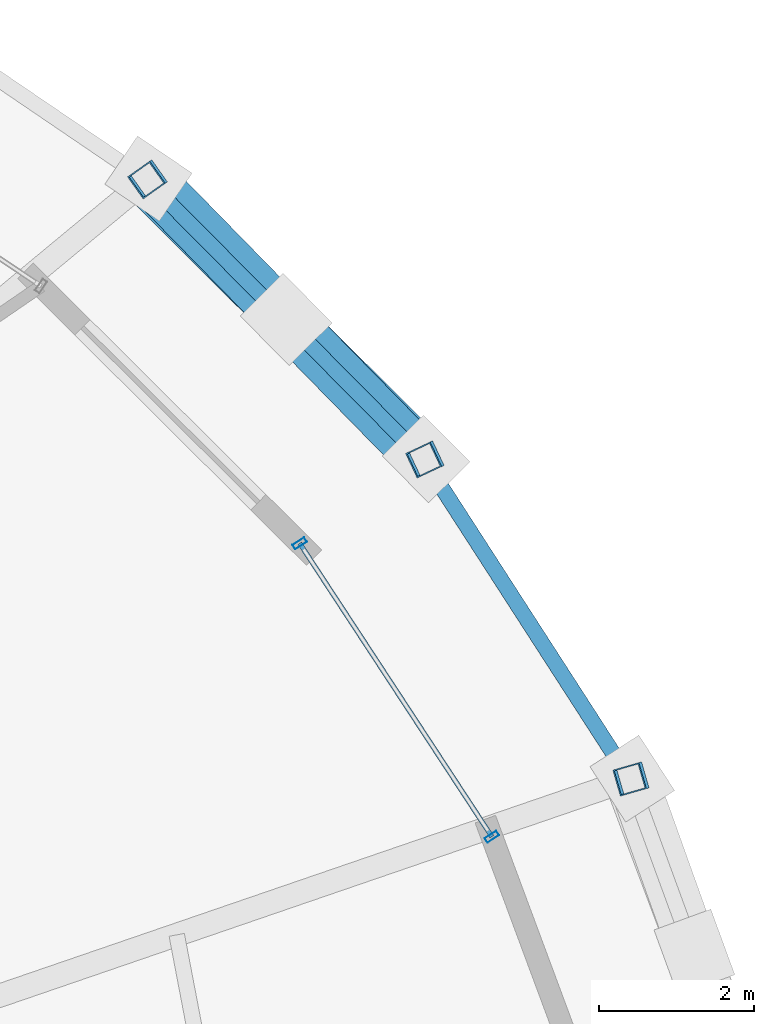
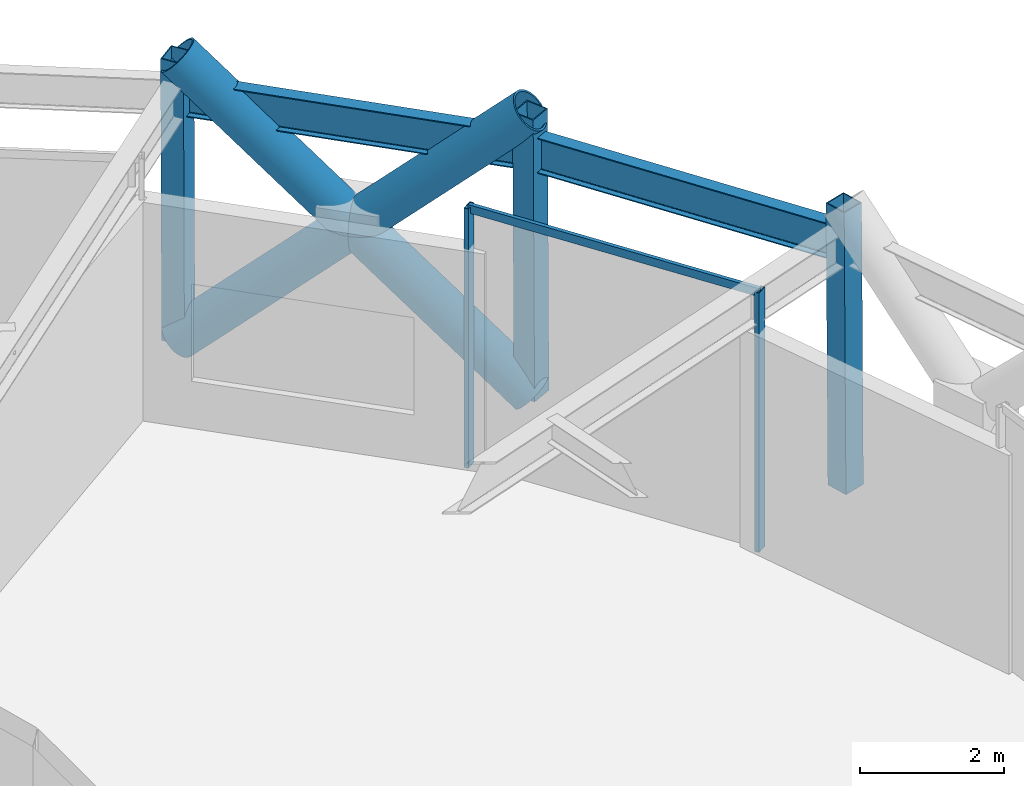
# One storey, part 30 of 39: 9 members, 2 beams, 1 element without a shape of its own.
"""IFC4 building model written with IfcOpenShell, lengths in metres."""

import ifcopenshell
import ifcopenshell.guid

model = None  # the IFC model being written
_history = None  # IfcOwnerHistory: only IFC2X3 demands one
_inside = {}  # id of a spatial element -> (the spatial element, [elements in it])
_under = {}  # id of a project, library or spatial element -> (it, [spatial elements below it])
_declared = {}  # id of a project -> (the project, [libraries it declares])
_typed = {}  # id of a type object -> (the type object, [elements of that type])
_made_of = {}  # id of a material, layer set ... -> (it, [elements and type objects made of it])


def new_model(schema):
    """Start an empty IFC model of exactly this schema.

    Asked for "IFC4X3", IfcOpenShell would pick the latest addendum, in which some entities
    have other attributes; the version numbers below select the first issue.
    IFC2X3 requires an IfcOwnerHistory on every rooted entity: one is made here for all.
    """
    global model, _history
    if schema == "IFC4X3":
        model = ifcopenshell.file(schema_version=(4, 3, 0, 0))
    else:
        model = ifcopenshell.file(schema=schema)
    _inside.clear()
    _under.clear()
    _declared.clear()
    _typed.clear()
    _made_of.clear()
    _history = None
    if model.schema == "IFC2X3":
        org = make("IfcOrganization", Name="unknown")
        user = make(
            "IfcPersonAndOrganization",
            ThePerson=make("IfcPerson", FamilyName="unknown"),
            TheOrganization=org,
        )
        app = make(
            "IfcApplication",
            ApplicationDeveloper=org,
            Version="unknown",
            ApplicationFullName="unknown",
            ApplicationIdentifier="unknown",
        )
        _history = make(
            "IfcOwnerHistory",
            OwningUser=user,
            OwningApplication=app,
            ChangeAction="ADDED",
            CreationDate=0,
        )
    return model


def make(cls, **values):
    """One entity of the class cls with the attributes given. An attribute that is None is left unset."""
    return model.create_entity(
        cls, **{name: value for name, value in values.items() if value is not None}
    )


def rooted(cls, **values):
    """An entity with a GlobalId (a new one), such as an element, a storey or a relation."""
    return make(cls, GlobalId=ifcopenshell.guid.new(), OwnerHistory=_history, **values)


def si_unit(unit_type, name, prefix=None):
    """IfcSIUnit, for example si_unit("LENGTHUNIT", "METRE", prefix="MILLI")."""
    return make("IfcSIUnit", UnitType=unit_type, Prefix=prefix, Name=name)


def assignment(units):
    """IfcUnitAssignment: the units of a project."""
    return None if units is None else make("IfcUnitAssignment", Units=units)


def point(xyz):
    """IfcCartesianPoint."""
    return None if xyz is None else make("IfcCartesianPoint", Coordinates=xyz)


def direction(xyz):
    """IfcDirection."""
    return None if xyz is None else make("IfcDirection", DirectionRatios=xyz)


def frame(location, z_axis=None, x_axis=None):
    """IfcAxis2Placement3D, a coordinate frame: its origin and axes. An axis left out is left unset."""
    return make(
        "IfcAxis2Placement3D",
        Location=point(location),
        Axis=direction(z_axis),
        RefDirection=direction(x_axis),
    )


def frame_2d(location, x_axis=None):
    """IfcAxis2Placement2D, a coordinate frame in the plane: its origin and x axis."""
    return make(
        "IfcAxis2Placement2D", Location=point(location), RefDirection=direction(x_axis)
    )


def origin():
    """The frame at (0, 0, 0) with its axes left unset."""
    return frame((0.0, 0.0, 0.0))


def origin_2d():
    """The frame at (0, 0) in the plane with its x axis left unset."""
    return frame_2d((0.0, 0.0))


def place(relative_to, where):
    """IfcLocalPlacement: puts the frame where relative to a parent placement (None: the world)."""
    return make(
        "IfcLocalPlacement", PlacementRelTo=relative_to, RelativePlacement=where
    )


def context(
    kind, dimensions, precision=None, world=None, true_north=None, identifier=None
):
    """IfcGeometricRepresentationContext, for example the 3D "Model" context."""
    return make(
        "IfcGeometricRepresentationContext",
        ContextIdentifier=identifier,
        ContextType=kind,
        CoordinateSpaceDimension=dimensions,
        Precision=precision,
        WorldCoordinateSystem=world,
        TrueNorth=true_north,
    )


def subcontext(parent, identifier, kind, view, scale=None):
    """IfcGeometricRepresentationSubContext, for example "Body" below "Model"."""
    return make(
        "IfcGeometricRepresentationSubContext",
        ContextIdentifier=identifier,
        ContextType=kind,
        ParentContext=parent,
        TargetScale=scale,
        TargetView=view,
    )


def project(units=None, contexts=None):
    """IfcProject with its units and contexts."""
    return rooted(
        "IfcProject",
        Name="project",
        RepresentationContexts=contexts,
        UnitsInContext=assignment(units),
    )


def spatial(cls, under=None, at=None, **own):
    """A site, building, storey or space (cls), placed at a placement, below another one or the project."""
    s = rooted(cls, ObjectPlacement=at, **own)
    if under is not None:
        _under.setdefault(under.id(), (under, []))[1].append(s)
    return s


def profile(cls, at=None, kind="AREA", **sizes):
    """A parametric profile (cls). Its sizes go by their IFC names, for example OverallWidth=200.0."""
    return make(cls, ProfileType=kind, Position=at, **sizes)


def hollow_rectangle(**sizes):
    """IfcRectangleHollowProfileDef."""
    return profile("IfcRectangleHollowProfileDef", **sizes)


def hollow_circle(**sizes):
    """IfcCircleHollowProfileDef."""
    return profile("IfcCircleHollowProfileDef", **sizes)


def i_section(**sizes):
    """IfcIShapeProfileDef."""
    return profile("IfcIShapeProfileDef", **sizes)


def extrude(swept, where, along, depth):
    """IfcExtrudedAreaSolid: the profile swept, set in the frame where, extruded along a direction by depth."""
    return make(
        "IfcExtrudedAreaSolid",
        SweptArea=swept,
        Position=where,
        ExtrudedDirection=direction(along),
        Depth=depth,
    )


def shape(context_of_items, identifier, shape_type, items):
    """IfcShapeRepresentation: the items that make up one representation, for example the "Body"."""
    return make(
        "IfcShapeRepresentation",
        ContextOfItems=context_of_items,
        RepresentationIdentifier=identifier,
        RepresentationType=shape_type,
        Items=items,
    )


def material(Name=None, Category=None):
    """IfcMaterial."""
    return make("IfcMaterial", Name=Name, Category=Category)


def layer(
    of_material, thickness, ventilated=None, Name=None, Category=None, Priority=None
):
    """IfcMaterialLayer: one layer of a wall or slab, of a material (None: an air gap)."""
    return make(
        "IfcMaterialLayer",
        Material=of_material,
        LayerThickness=thickness,
        IsVentilated=ventilated,
        Name=Name,
        Category=Category,
        Priority=Priority,
    )


def layer_set(layers, Name=None):
    """IfcMaterialLayerSet."""
    return make("IfcMaterialLayerSet", MaterialLayers=layers, LayerSetName=Name)


def material_profile(
    of_material, cross_section, Name=None, Category=None, Priority=None
):
    """IfcMaterialProfile: a cross section and its material."""
    return make(
        "IfcMaterialProfile",
        Name=Name,
        Material=of_material,
        Profile=cross_section,
        Priority=Priority,
        Category=Category,
    )


def profile_set(profiles, Name=None, composite=None):
    """IfcMaterialProfileSet."""
    return make(
        "IfcMaterialProfileSet",
        Name=Name,
        MaterialProfiles=profiles,
        CompositeProfile=composite,
    )


def made_of(thing, what):
    """Note that an element or type object is made of a material, layer set ...; save() writes the relation."""
    if what is not None:
        _made_of.setdefault(what.id(), (what, []))[1].append(thing)
    return thing


def type_object(cls, material=None, **own):
    """A type object (cls), such as IfcWallType, which elements share."""
    return made_of(rooted(cls, **own), material)


def element(
    cls,
    number,
    at=None,
    inside=None,
    cuts=None,
    type_object=None,
    material=None,
    context=None,
    identifier="Body",
    shape_type=None,
    held_by="IfcProductDefinitionShape",
    body=None,
    shapes=None,
    **own,
):
    """One element of the class cls, such as IfcWall. Its Tag is "e" and its number.

    at: its placement. inside: the storey or other place that contains it. cuts: it is an
    opening in that element (IfcRelVoidsElement). A single representation is given by context,
    identifier, shape_type and body (its items); several are given by shapes. held_by: the class
    of the entity that holds the representations. save() writes the other relations.
    """
    e = rooted(cls, Tag="e%d" % number, ObjectPlacement=at, **own)
    if body is not None:
        shapes = [shape(context, identifier, shape_type, body)]
    if shapes is not None:
        e.Representation = make(held_by, Representations=shapes)
    if inside is not None:
        _inside.setdefault(inside.id(), (inside, []))[1].append(e)
    if cuts is not None:
        rooted(
            "IfcRelVoidsElement", RelatingBuildingElement=cuts, RelatedOpeningElement=e
        )
    if type_object is not None:
        _typed.setdefault(type_object.id(), (type_object, []))[1].append(e)
    return made_of(e, material)


def aggregate(whole, parts):
    """IfcRelAggregates: a whole, such as a stair, and the parts it consists of."""
    return rooted("IfcRelAggregates", RelatingObject=whole, RelatedObjects=parts)


def save(model, path):
    """Write the relations noted so far, then the file.

    IfcRelAggregates (storeys below a building ...), IfcRelContainedInSpatialStructure (elements
    in a storey), IfcRelDefinesByType, IfcRelAssociatesMaterial and IfcRelDeclares: one each for
    every whole, place, type object, material and project.
    """
    for whole, parts in _under.values():
        aggregate(whole, parts)
    for where, things in _inside.values():
        rooted(
            "IfcRelContainedInSpatialStructure",
            RelatedElements=things,
            RelatingStructure=where,
        )
    for kind, things in _typed.values():
        rooted("IfcRelDefinesByType", RelatedObjects=things, RelatingType=kind)
    for what, things in _made_of.values():
        rooted("IfcRelAssociatesMaterial", RelatedObjects=things, RelatingMaterial=what)
    for by, libraries in _declared.values():
        rooted("IfcRelDeclares", RelatingContext=by, RelatedDefinitions=libraries)
    model.write(path)


model = new_model("IFC4")

# Units and contexts
model_context = context("Model", 3, precision=1e-05, world=origin(), true_north=direction((0.0, 1.0)))
body_context = subcontext(model_context, "Body", "Model", "MODEL_VIEW")
ifc_project = project(units=[si_unit("LENGTHUNIT", "METRE"), si_unit("AREAUNIT", "SQUARE_METRE"), si_unit("VOLUMEUNIT", "CUBIC_METRE"), si_unit("PLANEANGLEUNIT", "RADIAN"), si_unit("MASSUNIT", "GRAM", prefix="KILO")], contexts=[model_context])

# Site, building, storey
site_placement = place(None, origin())
site = spatial("IfcSite", under=ifc_project, at=site_placement, CompositionType="ELEMENT")
building_placement = place(site_placement, origin())
building = spatial("IfcBuilding", under=site, at=building_placement, Name="Veldorina Hangang Commons", CompositionType="ELEMENT")
storey_placement = place(building_placement, frame((0.0, 0.0, 106.0)))
storey = spatial("IfcBuildingStorey", under=building, at=storey_placement, Name="L27", CompositionType="ELEMENT", Elevation=106.0)

# Beams
ifc_material_1 = material(Name="Steel SM420-TMC", Category="steel")
ifc_material_profile_1 = material_profile(ifc_material_1, i_section(OverallWidth=0.199951171875, OverallDepth=0.60009765625, WebThickness=0.010986328125, FlangeThickness=0.01708984375, FilletRadius=0.01806640625, at=origin_2d()), Name="H-600x200x11x17")
ifc_profile_set_1 = profile_set([ifc_material_profile_1], Name="Steel SM420-TMC")
beam_type = type_object("IfcBeamType", Name="BM-RB600", PredefinedType="BEAM", material=ifc_profile_set_1)
beam_1_placement = place(storey_placement, frame((58.56201171875, 33.117431640625, 4.139892578125), z_axis=(-0.542050857771, 0.840345683388, 0.0), x_axis=(-0.840345683388, -0.542050857771, 0.0)))
element("IfcBeam", 1, at=beam_1_placement, inside=storey, type_object=beam_type, Name="L27 perimeter hoop ring beam 02", PredefinedType="BEAM", context=body_context, shape_type="SweptSolid", body=[
    extrude(i_section(OverallWidth=0.199951171875, OverallDepth=0.60009765625, WebThickness=0.010986328125, FlangeThickness=0.01708984375, FilletRadius=0.01806640625, at=origin_2d()), origin(), (0.0, 0.0, 1.0), 4.901611328125),
])
beam_2_placement = place(storey_placement, frame((55.905029296875, 37.236572265625, 4.139892578125), z_axis=(-0.703663003513, 0.710533867938, 0.0), x_axis=(-0.710533867938, -0.703663003513, 0.0)))
element("IfcBeam", 2, at=beam_2_placement, inside=storey, type_object=beam_type, Name="L27 perimeter hoop ring beam 03", PredefinedType="BEAM", context=body_context, shape_type="SweptSolid", body=[
    extrude(i_section(OverallWidth=0.199951171875, OverallDepth=0.60009765625, WebThickness=0.010986328125, FlangeThickness=0.01708984375, FilletRadius=0.01806640625, at=origin_2d()), origin(), (0.0, 0.0, 1.0), 5.081298828125),
])

# Curtain wall, members
ifc_material_2 = material(Name="Glass Acoustic Laminated", Category="glass")
ifc_layer = layer(ifc_material_2, 0.179931640625)
ifc_layer_set = layer_set([ifc_layer], Name="Glass Acoustic Laminated")
curtain_wall_type = type_object("IfcCurtainWallType", Name="CW-SYS-SKY", PredefinedType="NOTDEFINED", material=ifc_layer_set)
curtain_wall_placement = place(storey_placement, origin())
curtain_wall = element("IfcCurtainWall", 3, at=curtain_wall_placement, inside=storey, type_object=curtain_wall_type, Name="L27 unitised curtain wall CW-L27-R2", PredefinedType="NOTDEFINED")
ifc_material_3 = material(Name="Aluminium Anodized AA6063-T6", Category="aluminium")
ifc_material_profile_2 = material_profile(ifc_material_3, hollow_rectangle(XDim=0.070068359375, YDim=0.179931640625, WallThickness=0.00390625, at=origin_2d()), Name="ALU-RHS-180x70x4")
ifc_profile_set_2 = profile_set([ifc_material_profile_2], Name="Aluminium Anodized AA6063-T6")
member_type_1 = type_object("IfcMemberType", Name="CW-MUL-180", PredefinedType="MULLION", material=ifc_profile_set_2)
member_1_placement = place(storey_placement, frame((56.781005859375, 32.376220703125, 0.0), z_axis=(0.0, 0.0, 1.0), x_axis=(-0.547928278665, 0.836525314285, 0.0)))
member_1 = element("IfcMember", 4, at=member_1_placement, type_object=member_type_1, Name="CW-L27-R2 vertical mullion 1", PredefinedType="MULLION", context=body_context, shape_type="SweptSolid", body=[
    extrude(hollow_rectangle(XDim=0.070068359375, YDim=0.179931640625, WallThickness=0.00390625, at=origin_2d()), origin(), (0.0, 0.0, 1.0), 4.39990234375),
])
member_2_placement = place(storey_placement, frame((54.302490234375, 36.160400390625, 0.0), z_axis=(0.0, 0.0, 1.0), x_axis=(0.547928278665, -0.836525314285, 0.0)))
member_2 = element("IfcMember", 5, at=member_2_placement, type_object=member_type_1, Name="CW-L27-R2 vertical mullion 2", PredefinedType="MULLION", context=body_context, shape_type="SweptSolid", body=[
    extrude(hollow_rectangle(XDim=0.070068359375, YDim=0.179931640625, WallThickness=0.00390625, at=origin_2d()), origin(), (0.0, 0.0, 1.0), 4.39990234375),
])
ifc_material_profile_3 = material_profile(ifc_material_3, hollow_rectangle(XDim=0.06005859375, YDim=0.139892578125, WallThickness=0.00341796875, at=origin_2d()), Name="ALU-RHS-140x60x3.5")
ifc_profile_set_3 = profile_set([ifc_material_profile_3], Name="Aluminium Anodized AA6063-T6")
member_type_2 = type_object("IfcMemberType", Name="CW-TRN-140", PredefinedType="USERDEFINED", material=ifc_profile_set_3)
member_3_placement = place(storey_placement, frame((56.781005859375, 32.376220703125, 4.360107421875), z_axis=(-0.547906457387, 0.836539606925, 0.0), x_axis=(-0.836539606925, -0.547906457387, 0.0)))
member_3 = element("IfcMember", 6, at=member_3_placement, type_object=member_type_2, Name="CW-L27-R2 facet 1 transom 1", ObjectType="TRANSOM", PredefinedType="USERDEFINED", context=body_context, shape_type="SweptSolid", body=[
    extrude(hollow_rectangle(XDim=0.06005859375, YDim=0.139892578125, WallThickness=0.00341796875, at=origin_2d()), origin(), (0.0, 0.0, 1.0), 4.523681640625),
])
aggregate(curtain_wall, [member_1, member_2, member_3])

# Members
ifc_material_4 = material(Name="Steel SM460-TMC", Category="steel")
ifc_material_profile_4 = material_profile(ifc_material_4, hollow_circle(Radius=0.324951171875, WallThickness=0.031982421875, at=origin_2d()), Name="CHS-650x32")
ifc_profile_set_4 = profile_set([ifc_material_profile_4], Name="Steel SM460-TMC")
member_type_3 = type_object("IfcMemberType", Name="DG-CHS650", PredefinedType="BRACE", material=ifc_profile_set_4)
member_4_placement = place(storey_placement, frame((55.93212890625, 37.249267578125, 0.0), z_axis=(-0.515325557152, 0.513755612661, 0.685926191806), x_axis=(-0.70602721242, -0.708184704242, 0.0)))
element("IfcMember", 7, at=member_4_placement, inside=storey, type_object=member_type_3, Name="L27 continuous perimeter diagrid brace 03", PredefinedType="BRACE", context=body_context, shape_type="SweptSolid", body=[
    extrude(hollow_circle(Radius=0.324951171875, WallThickness=0.031982421875, at=origin_2d()), origin(), (0.0, 0.0, 1.0), 6.997802734375),
])
member_5_placement = place(storey_placement, frame((52.3525390625, 40.86328125, 0.0), z_axis=(0.507969571085, -0.519425430499, 0.687142006431), x_axis=(0.714946856887, 0.699178798182, 0.0)))
element("IfcMember", 8, at=member_5_placement, inside=storey, type_object=member_type_3, Name="L27 split perimeter diagrid lower brace 04", PredefinedType="BRACE", context=body_context, shape_type="SweptSolid", body=[
    extrude(hollow_circle(Radius=0.324951171875, WallThickness=0.031982421875, at=origin_2d()), origin(), (0.0, 0.0, 1.0), 3.4951171875),
])
member_6_placement = place(storey_placement, frame((54.1279296875, 39.0478515625, 2.401611328125), z_axis=(0.507934081571, -0.519474858693, 0.687130875427), x_axis=(0.715004530195, 0.699119819345, 0.0)))
element("IfcMember", 9, at=member_6_placement, inside=storey, type_object=member_type_3, Name="L27 split perimeter diagrid upper brace 04", PredefinedType="BRACE", context=body_context, shape_type="SweptSolid", body=[
    extrude(hollow_circle(Radius=0.324951171875, WallThickness=0.031982421875, at=origin_2d()), origin(), (0.0, 0.0, 1.0), 3.490478515625),
])
ifc_material_5 = material(Name="Steel SM355-TMC", Category="steel")
ifc_material_profile_5 = material_profile(ifc_material_5, hollow_rectangle(XDim=0.35009765625, YDim=0.35009765625, WallThickness=0.01611328125, at=origin_2d()), Name="SHS-350x350x16")
ifc_profile_set_5 = profile_set([ifc_material_profile_5], Name="Steel SM355-TMC")
member_type_4 = type_object("IfcMemberType", Name="STR-SHS350", PredefinedType="STRUT", material=ifc_profile_set_5)
for number, where, z_axis, x_axis, name in (
    (10, (58.591796875, 33.126220703125, 0.0), (-0.007222215951, -0.002085287704, 0.999971745187), (0.277400878559, -0.960754262325, 0.0), "L27 perimeter ring node post 02"),
    (11, (55.93212890625, 37.249267578125, 0.0), (-0.006510182161, -0.003051647888, 0.999974152153), (0.424433876231, -0.905458935959, 0.0), "L27 perimeter ring node post 03"),
):
    element("IfcMember", number, at=place(storey_placement, frame(where, z_axis=z_axis, x_axis=x_axis)), inside=storey, type_object=member_type_4, Name=name, PredefinedType="STRUT", context=body_context, shape_type="SweptSolid", body=[
        extrude(hollow_rectangle(XDim=0.35009765625, YDim=0.35009765625, WallThickness=0.01611328125, at=origin_2d()), origin(), (0.0, 0.0, 1.0), 4.80029296875),
    ])
member_7_placement = place(storey_placement, frame((52.3525390625, 40.86328125, 0.0), z_axis=(-0.005543842585, -0.003916292469, 0.999976963966), x_axis=(0.576977350994, -0.816760146212, 0.0)))
element("IfcMember", 12, at=member_7_placement, inside=storey, type_object=member_type_4, Name="L27 perimeter ring node post 04", PredefinedType="STRUT", context=body_context, shape_type="SweptSolid", body=[
    extrude(hollow_rectangle(XDim=0.35009765625, YDim=0.35009765625, WallThickness=0.01611328125, at=origin_2d()), origin(), (0.0, 0.0, 1.0), 4.800048828125),
])

save(model, "model.ifc")
